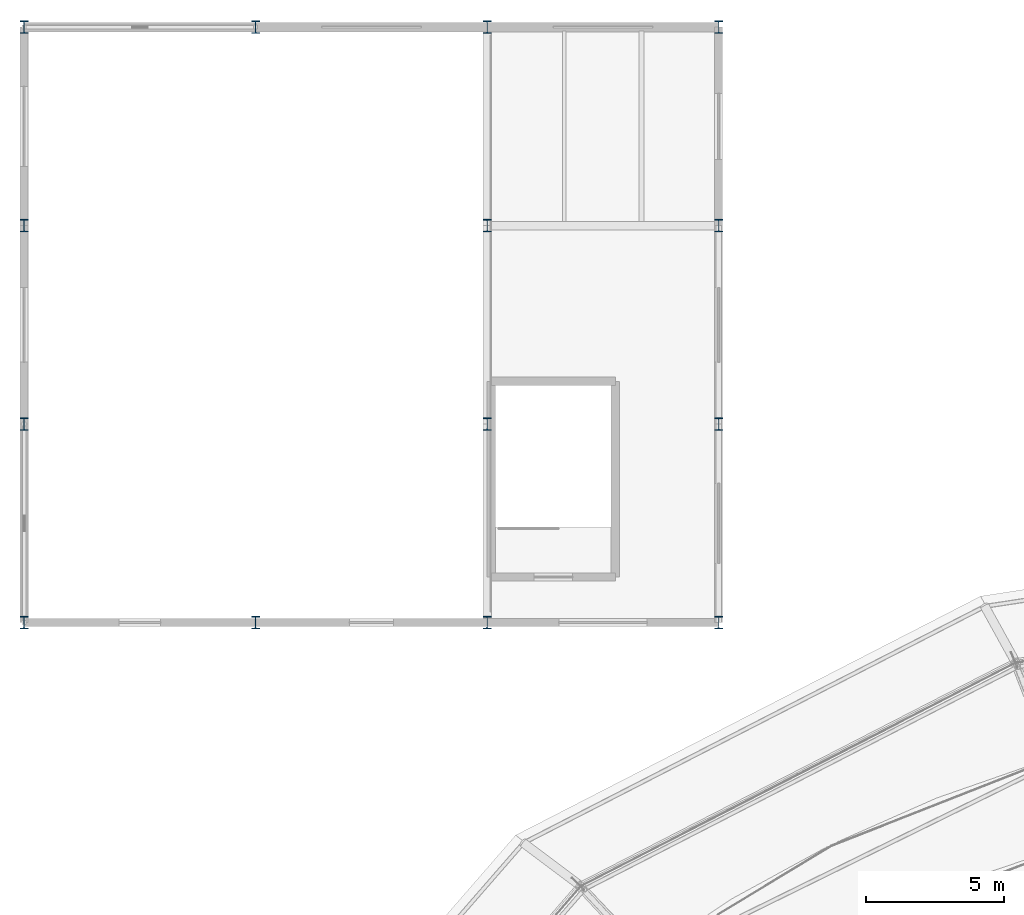
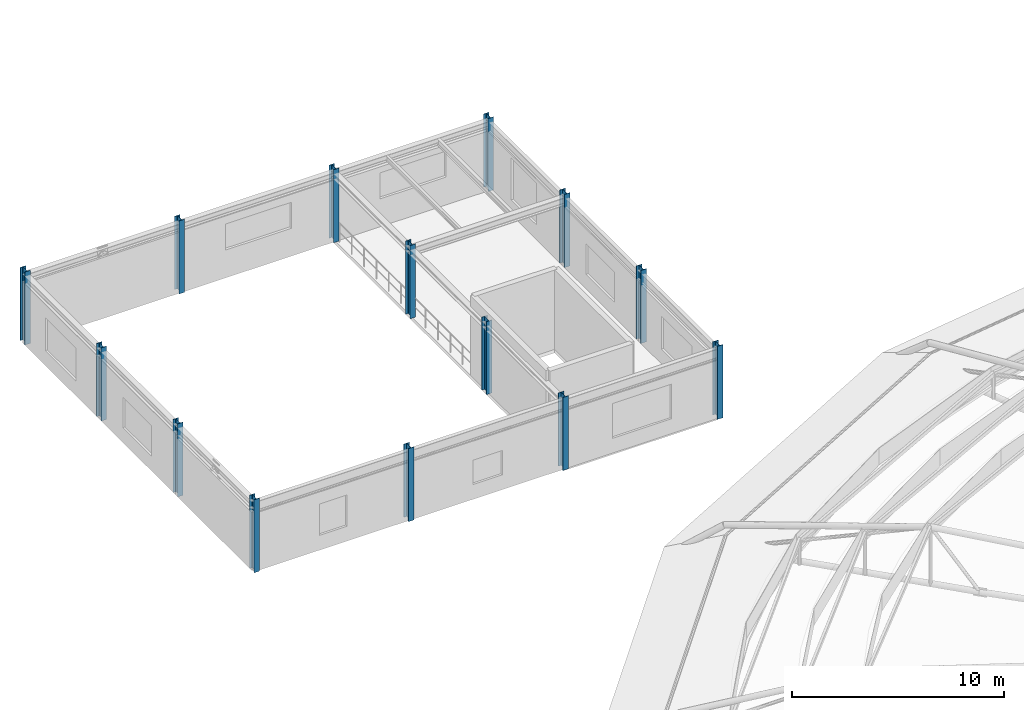
# One storey, part 2 of 134: 14 columns.
"""IFC4 building model written with IfcOpenShell, lengths in metres."""

from ifc_helpers import new_model, si_unit, derived_unit, direction, frame, origin, origin_2d, place, context, subcontext, project, spatial, i_section, extrude, material, material_profile, profile_set, type_object, element, save


model = new_model("IFC4")

# Units and contexts
model_context = context("Model", 3, precision=1e-05, world=origin(), true_north=direction((0.0, 1.0)))
body_context = subcontext(model_context, "Body", "Model", "MODEL_VIEW")
ifc_project = project(units=[si_unit("LENGTHUNIT", "METRE"), si_unit("AREAUNIT", "SQUARE_METRE"), si_unit("VOLUMEUNIT", "CUBIC_METRE"), si_unit("PLANEANGLEUNIT", "RADIAN"), si_unit("MASSUNIT", "GRAM", prefix="KILO"), derived_unit("THERMALTRANSMITTANCEUNIT", [(si_unit("MASSUNIT", "GRAM", prefix="KILO"), 1), (si_unit("TIMEUNIT", "SECOND"), -3), (si_unit("THERMODYNAMICTEMPERATUREUNIT", "KELVIN"), -1)])], contexts=[model_context])

# Site, building, storey
site_placement = place(None, origin())
site = spatial("IfcSite", under=ifc_project, at=site_placement, CompositionType="ELEMENT")
building_placement = place(site_placement, origin())
building = spatial("IfcBuilding", under=site, at=building_placement, Name="Kharveza Railside Sports Centre", CompositionType="ELEMENT")
storey_placement = place(building_placement, frame((0.0, 0.0, 12.89990234375)))
storey = spatial("IfcBuildingStorey", under=building, at=storey_placement, Name="L03", CompositionType="ELEMENT", Elevation=12.89990234375)

# Columns
ifc_material = material(Name="Steel S355J2", Category="steel")
ifc_material_profile = material_profile(ifc_material, i_section(OverallWidth=0.300048828125, OverallDepth=0.449951171875, WebThickness=0.013916015625, FlangeThickness=0.02587890625, FilletRadius=0.027099609375, at=origin_2d()), Name="HEB 450")
ifc_profile_set = profile_set([ifc_material_profile], Name="Steel S355J2")
column_type = type_object("IfcColumnType", Name="COL-S04", PredefinedType="COLUMN", material=ifc_profile_set)
for number, where, z_axis, x_axis, name in (
    (1, (0.0, 86.39990234375, 0.0), (0.0, 0.0, 1.0), (1.0, 0.0, 0.0), "COL-G-C04-X0-Y864-L03"),
    (2, (0.0, 93.60009765625, 0.0), (0.0, 0.0, 1.0), (1.0, 0.0, 0.0), "COL-G-C04-X0-Y936-L03"),
    (3, (0.0, 100.800048828125, 0.0), (0.0, 0.0, 1.0), (1.0, 0.0, 0.0), "COL-G-C04-X0-Y1008-L03"),
    (4, (0.0, 108.0, 0.0), (0.0, 0.0, 1.0), (1.0, 0.0, 0.0), "COL-G-C04-X0-Y1080-L03"),
    (5, (8.39990234375, 86.39990234375, 0.0), (0.0, 0.0, 1.0), (1.0, 0.0, 0.0), "COL-G-C04-X84-Y864-L03"),
    (6, (8.39990234375, 108.0, 0.0), (0.0, 0.0, 1.0), (1.0, 0.0, 0.0), "COL-G-C04-X84-Y1080-L03"),
    (7, (16.800048828125, 86.39990234375, 0.0), (0.0, 0.0, 1.0), (1.0, 0.0, 0.0), "COL-G-C04-X168-Y864-L03"),
    (8, (16.800048828125, 93.60009765625, 0.0), (0.0, 0.0, 1.0), (1.0, 0.0, 0.0), "COL-G-C04-X168-Y936-L03"),
    (9, (16.800048828125, 100.800048828125, 0.0), (0.0, 0.0, 1.0), (1.0, 0.0, 0.0), "COL-G-C04-X168-Y1008-L03"),
    (10, (16.800048828125, 108.0, 0.0), (0.0, 0.0, 1.0), (1.0, 0.0, 0.0), "COL-G-C04-X168-Y1080-L03"),
    (11, (25.199951171875, 86.39990234375, 0.0), (0.0, 0.0, 1.0), (1.0, 0.0, 0.0), "COL-G-C04-X252-Y864-L03"),
    (12, (25.199951171875, 93.60009765625, 0.0), (0.0, 0.0, 1.0), (1.0, 0.0, 0.0), "COL-G-C04-X252-Y936-L03"),
    (13, (25.199951171875, 100.800048828125, 0.0), (0.0, 0.0, 1.0), (1.0, 0.0, 0.0), "COL-G-C04-X252-Y1008-L03"),
    (14, (25.199951171875, 108.0, 0.0), (0.0, 0.0, 1.0), (1.0, 0.0, 0.0), "COL-G-C04-X252-Y1080-L03"),
):
    element("IfcColumn", number, at=place(storey_placement, frame(where, z_axis=z_axis, x_axis=x_axis)), inside=storey, type_object=column_type, Name=name, PredefinedType="COLUMN", context=body_context, shape_type="SweptSolid", body=[
        extrude(i_section(OverallWidth=0.300048828125, OverallDepth=0.449951171875, WebThickness=0.013916015625, FlangeThickness=0.02587890625, FilletRadius=0.027099609375, at=origin_2d()), origin(), (0.0, 0.0, 1.0), 4.2001953125),
    ])

save(model, "model.ifc")
